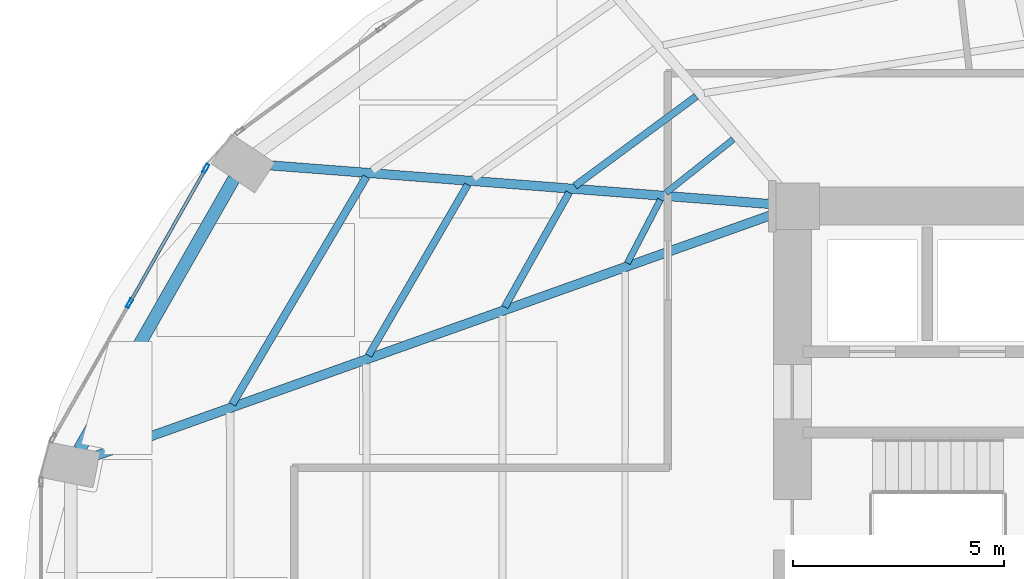
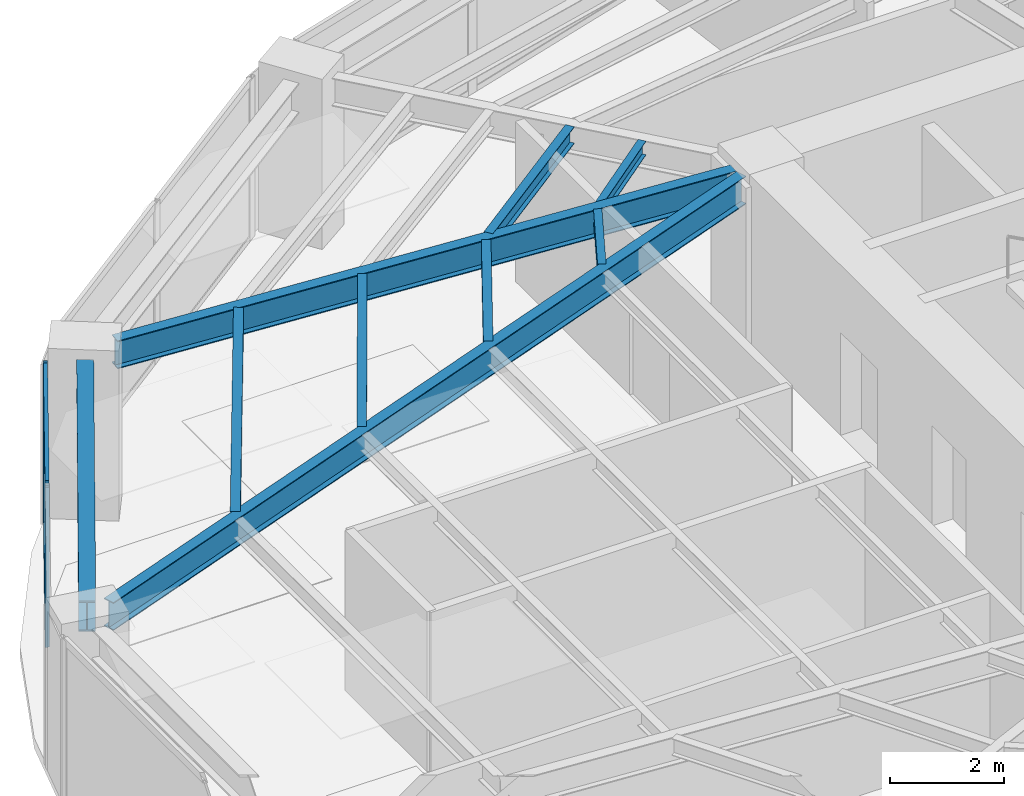
# One storey, part 8 of 24: 9 beams, 4 members, 1 element without a shape of its own.
"""IFC4 building model written with IfcOpenShell, lengths in metres."""

from ifc_helpers import new_model, si_unit, direction, frame, origin, origin_2d, place, context, subcontext, project, spatial, hollow_rectangle, i_section, extrude, material, layer, layer_set, material_profile, profile_set, type_object, element, aggregate, save


model = new_model("IFC4")

# Units and contexts
model_context = context("Model", 3, precision=1e-05, world=origin(), true_north=direction((0.0, 1.0)))
body_context = subcontext(model_context, "Body", "Model", "MODEL_VIEW")
ifc_project = project(units=[si_unit("LENGTHUNIT", "METRE"), si_unit("AREAUNIT", "SQUARE_METRE"), si_unit("VOLUMEUNIT", "CUBIC_METRE"), si_unit("PLANEANGLEUNIT", "RADIAN"), si_unit("MASSUNIT", "GRAM", prefix="KILO")], contexts=[model_context])

# Site, building, storey
site_placement = place(None, origin())
site = spatial("IfcSite", under=ifc_project, at=site_placement, CompositionType="ELEMENT")
building_placement = place(site_placement, origin())
building = spatial("IfcBuilding", under=site, at=building_placement, Name="Lazwardi Medical Tower", CompositionType="ELEMENT")
storey_placement = place(building_placement, frame((0.0, 0.0, 68.97607421875)))
storey = spatial("IfcBuildingStorey", under=building, at=storey_placement, Name="L17", CompositionType="ELEMENT", Elevation=68.97607421875)

# Beams
ifc_material_1 = material(Name="Steel S355", Category="steel")
ifc_material_profile_1 = material_profile(ifc_material_1, i_section(OverallWidth=0.300048828125, OverallDepth=0.64990234375, WebThickness=0.01611328125, FlangeThickness=0.031005859375, at=origin_2d()), Name="HEB 650")
ifc_profile_set_1 = profile_set([ifc_material_profile_1], Name="Steel S355")
beam_type_1 = type_object("IfcBeamType", Name="BM-RB-Z1", PredefinedType="BEAM", material=ifc_profile_set_1)
beam_1_placement = place(storey_placement, frame((13.072021484375, 36.24951171875, 3.10302734375), z_axis=(-0.495829348644, -0.868419977328, 0.0), x_axis=(0.868419977328, -0.495829348644, 0.0)))
element("IfcBeam", 1, at=beam_1_placement, inside=storey, type_object=beam_type_1, Name="Ring beam RB-02 B11 L17", PredefinedType="BEAM", context=body_context, shape_type="SweptSolid", body=[
    extrude(i_section(OverallWidth=0.300048828125, OverallDepth=0.64990234375, WebThickness=0.01611328125, FlangeThickness=0.031005859375, at=origin_2d()), origin(), (0.0, 0.0, 1.0), 7.38916015625),
])
ifc_material_profile_2 = material_profile(ifc_material_1, i_section(OverallWidth=0.219970703125, OverallDepth=0.60009765625, WebThickness=0.011962890625, FlangeThickness=0.01904296875, at=origin_2d()), Name="IPE 600")
ifc_profile_set_2 = profile_set([ifc_material_profile_2], Name="Steel S355")
beam_type_2 = type_object("IfcBeamType", Name="BM-RG-W1", PredefinedType="BEAM", material=ifc_profile_set_2)
beam_2_placement = place(storey_placement, frame((13.8583984375, 36.569580078125, 3.1279296875), z_axis=(0.997024241118, -0.077088667283, 0.0), x_axis=(0.077088667283, 0.997024241118, 0.0)))
element("IfcBeam", 2, at=beam_2_placement, inside=storey, type_object=beam_type_2, Name="Radial girder RG-02 R11 L17", PredefinedType="BEAM", context=body_context, shape_type="SweptSolid", body=[
    extrude(i_section(OverallWidth=0.219970703125, OverallDepth=0.60009765625, WebThickness=0.011962890625, FlangeThickness=0.01904296875, at=origin_2d()), origin(), (0.0, 0.0, 1.0), 12.044189453125),
])
beam_3_placement = place(storey_placement, frame((9.746337890625, 29.66259765625, 3.1279296875), z_axis=(0.941925080425, 0.335823082688, 0.0), x_axis=(-0.335823082688, 0.941925080425, 0.0)))
element("IfcBeam", 3, at=beam_3_placement, inside=storey, type_object=beam_type_2, Name="Radial girder RG-02 R12 L17", PredefinedType="BEAM", context=body_context, shape_type="SweptSolid", body=[
    extrude(i_section(OverallWidth=0.219970703125, OverallDepth=0.60009765625, WebThickness=0.011962890625, FlangeThickness=0.01904296875, at=origin_2d()), origin(), (0.0, 0.0, 1.0), 17.145263671875),
])
ifc_material_profile_3 = material_profile(ifc_material_1, i_section(OverallWidth=0.179931640625, OverallDepth=0.39990234375, WebThickness=0.008544921875, FlangeThickness=0.013427734375, at=origin_2d()), Name="IPE 400")
ifc_profile_set_3 = profile_set([ifc_material_profile_3], Name="Steel S355")
beam_type_3 = type_object("IfcBeamType", Name="BM-SJ-01", PredefinedType="JOIST", material=ifc_profile_set_3)
beam_4_placement = place(storey_placement, frame((16.206787109375, 36.29345703125, 3.22802734375), z_axis=(-0.507886270937, -0.861424132349, 0.0), x_axis=(0.861424132349, -0.507886270937, 0.0)))
element("IfcBeam", 4, at=beam_4_placement, inside=storey, type_object=beam_type_3, Name="Secondary joist SJ-01 R1 B11 L17", PredefinedType="JOIST", context=body_context, shape_type="SweptSolid", body=[
    extrude(i_section(OverallWidth=0.179931640625, OverallDepth=0.39990234375, WebThickness=0.008544921875, FlangeThickness=0.013427734375, at=origin_2d()), origin(), (0.0, 0.0, 1.0), 6.255859375),
])
ifc_material_profile_4 = material_profile(ifc_material_1, i_section(OverallWidth=0.169921875, OverallDepth=0.360107421875, WebThickness=0.008056640625, FlangeThickness=0.0126953125, at=origin_2d()), Name="IPE 360")
ifc_profile_set_4 = profile_set([ifc_material_profile_4], Name="Steel S355")
beam_type_4 = type_object("IfcBeamType", Name="BM-SJ-02", PredefinedType="JOIST", material=ifc_profile_set_4)
beam_5_placement = place(storey_placement, frame((18.60888671875, 36.107421875, 3.248046875), z_axis=(-0.501798442848, -0.86498457949, 0.0), x_axis=(0.86498457949, -0.501798442848, 0.0)))
element("IfcBeam", 5, at=beam_5_placement, inside=storey, type_object=beam_type_4, Name="Secondary joist SJ-02 R2 B11 L17", PredefinedType="JOIST", context=body_context, shape_type="SweptSolid", body=[
    extrude(i_section(OverallWidth=0.169921875, OverallDepth=0.360107421875, WebThickness=0.008056640625, FlangeThickness=0.0126953125, at=origin_2d()), origin(), (0.0, 0.0, 1.0), 4.683349609375),
])
beam_6_placement = place(storey_placement, frame((24.025146484375, 38.19873046875, 3.248046875), z_axis=(-0.804580292353, -0.593843879448, 0.0), x_axis=(0.593843879448, -0.804580292353, 0.0)))
element("IfcBeam", 6, at=beam_6_placement, inside=storey, type_object=beam_type_4, Name="Secondary joist SJ-02 R3 B10 L17", PredefinedType="JOIST", context=body_context, shape_type="SweptSolid", body=[
    extrude(i_section(OverallWidth=0.169921875, OverallDepth=0.360107421875, WebThickness=0.008056640625, FlangeThickness=0.0126953125, at=origin_2d()), origin(), (0.0, 0.0, 1.0), 3.576416015625),
])
beam_7_placement = place(storey_placement, frame((21.011962890625, 35.9208984375, 3.248046875), z_axis=(-0.489974339037, -0.87173685656, 0.0), x_axis=(0.87173685656, -0.489974339037, 0.0)))
element("IfcBeam", 7, at=beam_7_placement, inside=storey, type_object=beam_type_4, Name="Secondary joist SJ-02 R3 B11 L17", PredefinedType="JOIST", context=body_context, shape_type="SweptSolid", body=[
    extrude(i_section(OverallWidth=0.169921875, OverallDepth=0.360107421875, WebThickness=0.008056640625, FlangeThickness=0.0126953125, at=origin_2d()), origin(), (0.0, 0.0, 1.0), 3.111328125),
])
ifc_material_profile_5 = material_profile(ifc_material_1, i_section(OverallWidth=0.14990234375, OverallDepth=0.300048828125, WebThickness=0.007080078125, FlangeThickness=0.0107421875, at=origin_2d()), Name="IPE 300")
ifc_profile_set_5 = profile_set([ifc_material_profile_5], Name="Steel S355")
beam_type_5 = type_object("IfcBeamType", Name="BM-SJ-03", PredefinedType="JOIST", material=ifc_profile_set_5)
beam_8_placement = place(storey_placement, frame((24.901123046875, 37.1806640625, 3.27783203125), z_axis=(-0.782210957226, -0.623013658274, 0.0), x_axis=(0.623013658274, -0.782210957226, 0.0)))
element("IfcBeam", 8, at=beam_8_placement, inside=storey, type_object=beam_type_5, Name="Secondary joist SJ-03 R4 B10 L17", PredefinedType="JOIST", context=body_context, shape_type="SweptSolid", body=[
    extrude(i_section(OverallWidth=0.14990234375, OverallDepth=0.300048828125, WebThickness=0.007080078125, FlangeThickness=0.0107421875, at=origin_2d()), origin(), (0.0, 0.0, 1.0), 2.0380859375),
])
beam_9_placement = place(storey_placement, frame((23.17626953125, 35.752197265625, 3.27783203125), z_axis=(-0.462162985948, -0.88679500135, 0.0), x_axis=(0.88679500135, -0.462162985948, 0.0)))
element("IfcBeam", 9, at=beam_9_placement, inside=storey, type_object=beam_type_5, Name="Secondary joist SJ-03 R4 B11 L17", PredefinedType="JOIST", context=body_context, shape_type="SweptSolid", body=[
    extrude(i_section(OverallWidth=0.14990234375, OverallDepth=0.300048828125, WebThickness=0.007080078125, FlangeThickness=0.0107421875, at=origin_2d()), origin(), (0.0, 0.0, 1.0), 1.69775390625),
])

# Curtain wall, members
ifc_material_2 = material(Name="Anodised bronze aluminium and solar control glazing", Category="aluminium")
ifc_layer = layer(ifc_material_2, 0.199951171875)
ifc_layer_set = layer_set([ifc_layer], Name="Anodised bronze aluminium and solar control glazing")
curtain_wall_type = type_object("IfcCurtainWallType", Name="CW-SYS-02", PredefinedType="NOTDEFINED", material=ifc_layer_set)
curtain_wall_placement = place(storey_placement, origin())
curtain_wall = element("IfcCurtainWall", 10, at=curtain_wall_placement, inside=storey, type_object=curtain_wall_type, Name="L17 Unitised bronze curtain wall CW-02", PredefinedType="NOTDEFINED")
ifc_material_3 = material(Name="Anodised bronze aluminium", Category="aluminium")
ifc_material_profile_6 = material_profile(ifc_material_3, hollow_rectangle(XDim=0.074951171875, YDim=0.219970703125, WallThickness=0.00390625, at=origin_2d()), Name="ALU-MULLION 220x75x4")
ifc_profile_set_6 = profile_set([ifc_material_profile_6], Name="Anodised bronze aluminium")
member_type_1 = type_object("IfcMemberType", Name="CW-MUL-01", PredefinedType="MULLION", material=ifc_profile_set_6)
member_1_placement = place(storey_placement, frame((12.4033203125, 36.488525390625, 0.0), z_axis=(0.0, 0.0, 1.0), x_axis=(0.870111838823, -0.492854327303, 0.0)))
member_1 = element("IfcMember", 11, at=member_1_placement, type_object=member_type_1, Name="CW-02 mullion 1", PredefinedType="MULLION", context=body_context, shape_type="SweptSolid", body=[
    extrude(hollow_rectangle(XDim=0.074951171875, YDim=0.219970703125, WallThickness=0.00390625, at=origin_2d()), origin(), (0.0, 0.0, 1.0), 3.427978515625),
])
member_2_placement = place(storey_placement, frame((10.5947265625, 33.29541015625, 0.0), z_axis=(0.0, 0.0, 1.0), x_axis=(0.870111838823, -0.492854327303, 0.0)))
member_2 = element("IfcMember", 12, at=member_2_placement, type_object=member_type_1, Name="CW-02 mullion 2", PredefinedType="MULLION", context=body_context, shape_type="SweptSolid", body=[
    extrude(hollow_rectangle(XDim=0.074951171875, YDim=0.219970703125, WallThickness=0.00390625, at=origin_2d()), origin(), (0.0, 0.0, 1.0), 3.427978515625),
])
ifc_material_profile_7 = material_profile(ifc_material_3, hollow_rectangle(XDim=0.074951171875, YDim=0.159912109375, WallThickness=0.00390625, at=origin_2d()), Name="ALU-TRANSOM 160x75x4")
ifc_profile_set_7 = profile_set([ifc_material_profile_7], Name="Anodised bronze aluminium")
member_type_2 = type_object("IfcMemberType", Name="CW-TRN-01", PredefinedType="USERDEFINED", material=ifc_profile_set_7)
member_3_placement = place(storey_placement, frame((12.384765625, 36.4560546875, 0.037353515625), z_axis=(-0.49285148925, -0.870113446365, 0.0), x_axis=(0.870113446365, -0.49285148925, 0.0)))
member_3 = element("IfcMember", 13, at=member_3_placement, type_object=member_type_2, Name="CW-02 transom 1.1", ObjectType="TRANSOM", PredefinedType="USERDEFINED", context=body_context, shape_type="SweptSolid", body=[
    extrude(hollow_rectangle(XDim=0.074951171875, YDim=0.159912109375, WallThickness=0.00390625, at=origin_2d()), origin(), (0.0, 0.0, 1.0), 3.594970703125),
])
member_4_placement = place(storey_placement, frame((12.384765625, 36.4560546875, 3.390380859375), z_axis=(-0.49285148925, -0.870113446365, 0.0), x_axis=(0.870113446365, -0.49285148925, 0.0)))
member_4 = element("IfcMember", 14, at=member_4_placement, type_object=member_type_2, Name="CW-02 transom 1.2", ObjectType="TRANSOM", PredefinedType="USERDEFINED", context=body_context, shape_type="SweptSolid", body=[
    extrude(hollow_rectangle(XDim=0.074951171875, YDim=0.159912109375, WallThickness=0.00390625, at=origin_2d()), origin(), (0.0, 0.0, 1.0), 3.594970703125),
])
aggregate(curtain_wall, [member_1, member_2, member_3, member_4])

save(model, "model.ifc")
